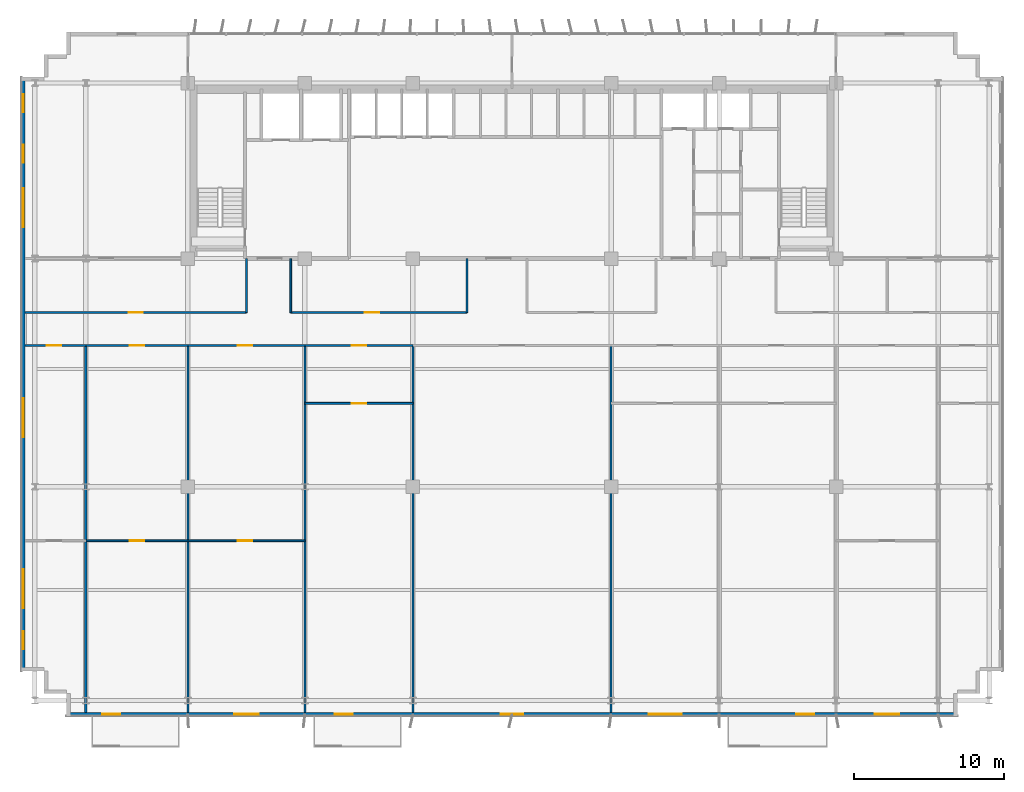
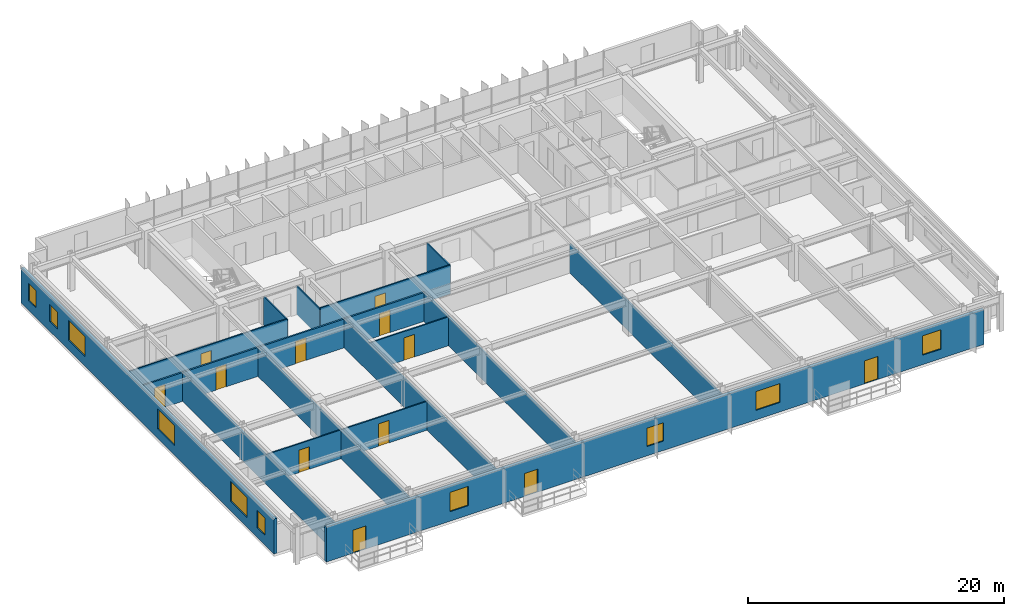
# One storey, part 15 of 21: 19 walls, 12 doors, 10 windows, 22 openings.
"""IFC4 building model written with IfcOpenShell, lengths in metres."""

from ifc_helpers import new_model, si_unit, direction, frame, frame_2d, origin, place, context, subcontext, project, spatial, rectangle, extrude, source, transform, mapped, material, layer, layer_set, type_object, element, fill, save


model = new_model("IFC4")

# Units and contexts
model_context = context("Model", 3, precision=1e-05, world=origin(), true_north=direction((0.0, 1.0)))
body_context = subcontext(model_context, "Body", "Model", "MODEL_VIEW")
ifc_project = project(units=[si_unit("LENGTHUNIT", "METRE"), si_unit("AREAUNIT", "SQUARE_METRE"), si_unit("VOLUMEUNIT", "CUBIC_METRE"), si_unit("PLANEANGLEUNIT", "RADIAN"), si_unit("MASSUNIT", "GRAM", prefix="KILO")], contexts=[model_context])

# Site, building, storey
site_placement = place(None, origin())
site = spatial("IfcSite", under=ifc_project, at=site_placement, CompositionType="ELEMENT")
building_placement = place(site_placement, origin())
building = spatial("IfcBuilding", under=site, at=building_placement, Name="Trelvane Seafront Commons", CompositionType="ELEMENT")
storey_placement = place(building_placement, frame((0.0, 0.0, 34.300048828125)))
storey = spatial("IfcBuildingStorey", under=building, at=storey_placement, Name="L08", CompositionType="ELEMENT", Elevation=34.300048828125)

# Wall, openings, windows
ifc_material_1 = material(Name="Precast concrete C40/50", Category="concrete")
ifc_layer_1 = layer(ifc_material_1, 0.260009765625, Name="ARCH-WALL-EXT260")
ifc_layer_set_1 = layer_set([ifc_layer_1], Name="Precast concrete C40/50")
wall_type_1 = type_object("IfcWallType", Name="ARCH-WALL-EXT260", PredefinedType="SOLIDWALL", material=ifc_layer_set_1)
wall_1_placement = place(storey_placement, frame((4.6298828125, 5.89990234375, 0.0), z_axis=(0.0, 0.0, 1.0), x_axis=(0.0, 1.0, 0.0)))
wall_1 = element("IfcWall", 1, at=wall_1_placement, inside=storey, type_object=wall_type_1, Name="EW-L08-00113", PredefinedType="SOLIDWALL", context=body_context, shape_type="SweptSolid", body=[
    extrude(rectangle(XDim=39.60009765625, YDim=0.260009765625, at=frame_2d((19.800048828125, 0.0))), origin(), (0.0, 0.0, 1.0), 3.33984375),
])
opening_1_placement = place(wall_1_placement, frame((1.449951171875, 0.0, 0.919921875)))
opening_1 = element("IfcOpeningElement", 2, at=opening_1_placement, cuts=wall_1, Name="Opening W05", PredefinedType="OPENING", context=body_context, shape_type="SweptSolid", body=[
    extrude(rectangle(XDim=1.199951171875, YDim=1.64990234375, at=frame_2d((0.60009765625, 0.824951171875))), frame((0.0, 0.139892578125, 0.0), z_axis=(0.0, -1.0, 0.0), x_axis=(1.0, 0.0, 0.0)), (0.0, 0.0, 1.0), 0.280029296875),
])
opening_2_placement = place(wall_1_placement, frame((4.199951171875, 0.0, 0.919921875)))
opening_2 = element("IfcOpeningElement", 3, at=opening_2_placement, cuts=wall_1, Name="Opening W04", PredefinedType="OPENING", context=body_context, shape_type="SweptSolid", body=[
    extrude(rectangle(XDim=2.60009765625, YDim=1.89990234375, at=frame_2d((1.300048828125, 0.949951171875))), frame((0.0, 0.139892578125, 0.0), z_axis=(0.0, -1.0, 0.0), x_axis=(1.0, 0.0, 0.0)), (0.0, 0.0, 1.0), 0.280029296875),
])
opening_3_placement = place(wall_1_placement, frame((15.60009765625, 0.0, 0.919921875)))
opening_3 = element("IfcOpeningElement", 4, at=opening_3_placement, cuts=wall_1, Name="Opening W04", PredefinedType="OPENING", context=body_context, shape_type="SweptSolid", body=[
    extrude(rectangle(XDim=2.60009765625, YDim=1.89990234375, at=frame_2d((1.300048828125, 0.949951171875))), frame((0.0, 0.139892578125, 0.0), z_axis=(0.0, -1.0, 0.0), x_axis=(1.0, 0.0, 0.0)), (0.0, 0.0, 1.0), 0.280029296875),
])
opening_4_placement = place(wall_1_placement, frame((29.60009765625, 0.0, 0.919921875)))
opening_4 = element("IfcOpeningElement", 5, at=opening_4_placement, cuts=wall_1, Name="Opening W04", PredefinedType="OPENING", context=body_context, shape_type="SweptSolid", body=[
    extrude(rectangle(XDim=2.60009765625, YDim=1.89990234375, at=frame_2d((1.300048828125, 0.949951171875))), frame((0.0, 0.139892578125, 0.0), z_axis=(0.0, -1.0, 0.0), x_axis=(1.0, 0.0, 0.0)), (0.0, 0.0, 1.0), 0.280029296875),
])
opening_5_placement = place(wall_1_placement, frame((33.89990234375, 0.0, 0.919921875)))
opening_5 = element("IfcOpeningElement", 6, at=opening_5_placement, cuts=wall_1, Name="Opening W05", PredefinedType="OPENING", context=body_context, shape_type="SweptSolid", body=[
    extrude(rectangle(XDim=1.199951171875, YDim=1.64990234375, at=frame_2d((0.60009765625, 0.824951171875))), frame((0.0, 0.139892578125, 0.0), z_axis=(0.0, -1.0, 0.0), x_axis=(1.0, 0.0, 0.0)), (0.0, 0.0, 1.0), 0.280029296875),
])
opening_6_placement = place(wall_1_placement, frame((37.25, 0.0, 0.919921875)))
opening_6 = element("IfcOpeningElement", 7, at=opening_6_placement, cuts=wall_1, Name="Opening W05", PredefinedType="OPENING", context=body_context, shape_type="SweptSolid", body=[
    extrude(rectangle(XDim=1.199951171875, YDim=1.64990234375, at=frame_2d((0.60009765625, 0.824951171875))), frame((0.0, 0.139892578125, 0.0), z_axis=(0.0, -1.0, 0.0), x_axis=(1.0, 0.0, 0.0)), (0.0, 0.0, 1.0), 0.280029296875),
])
ifc_material_2 = material(Name="Low-E coastal double glazing", Category="glass")
window_type_1 = type_object("IfcWindowType", Name="ARCH-WIN-W04", PartitioningType="SINGLE_PANEL", PredefinedType="WINDOW", material=ifc_material_2)
shared_shape_1 = source(origin(), body_context, "Body", "SweptSolid", [
    extrude(rectangle(XDim=2.60009765625, YDim=1.89990234375, at=frame_2d((1.300048828125, 0.949951171875))), frame((0.0, 0.030029296875, 0.0), z_axis=(0.0, -1.0, 0.0), x_axis=(1.0, 0.0, 0.0)), (0.0, 0.0, 1.0), 0.06005859375),
])
window_1_placement = place(opening_2_placement, origin())
window_1 = element("IfcWindow", 8, at=window_1_placement, inside=storey, type_object=window_type_1, Name="WIN-L08-EW-00159", OverallHeight=1.89990234375, OverallWidth=2.60009765625, PartitioningType="SINGLE_PANEL", PredefinedType="WINDOW", context=body_context, shape_type="MappedRepresentation", body=[
    mapped(shared_shape_1, transform((0.0, 0.0, 0.0), x_axis=(1.0, 0.0, 0.0), y_axis=(0.0, 1.0, 0.0), z_axis=(0.0, 0.0, 1.0), scale=1.0)),
])
fill(opening_2, window_1)
window_2_placement = place(opening_3_placement, origin())
window_2 = element("IfcWindow", 9, at=window_2_placement, inside=storey, type_object=window_type_1, Name="WIN-L08-EW-00160", OverallHeight=1.89990234375, OverallWidth=2.60009765625, PartitioningType="SINGLE_PANEL", PredefinedType="WINDOW", context=body_context, shape_type="MappedRepresentation", body=[
    mapped(shared_shape_1, transform((0.0, 0.0, 0.0), x_axis=(1.0, 0.0, 0.0), y_axis=(0.0, 1.0, 0.0), z_axis=(0.0, 0.0, 1.0), scale=1.0)),
])
fill(opening_3, window_2)
window_3_placement = place(opening_4_placement, origin())
window_3 = element("IfcWindow", 10, at=window_3_placement, inside=storey, type_object=window_type_1, Name="WIN-L08-EW-00161", OverallHeight=1.89990234375, OverallWidth=2.60009765625, PartitioningType="SINGLE_PANEL", PredefinedType="WINDOW", context=body_context, shape_type="MappedRepresentation", body=[
    mapped(shared_shape_1, transform((0.0, 0.0, 0.0), x_axis=(1.0, 0.0, 0.0), y_axis=(0.0, 1.0, 0.0), z_axis=(0.0, 0.0, 1.0), scale=1.0)),
])
fill(opening_4, window_3)
window_type_2 = type_object("IfcWindowType", Name="ARCH-WIN-W05", PartitioningType="SINGLE_PANEL", PredefinedType="WINDOW", material=ifc_material_2)
shared_shape_2 = source(origin(), body_context, "Body", "SweptSolid", [
    extrude(rectangle(XDim=1.199951171875, YDim=1.64990234375, at=frame_2d((0.60009765625, 0.824951171875))), frame((0.0, 0.030029296875, 0.0), z_axis=(0.0, -1.0, 0.0), x_axis=(1.0, 0.0, 0.0)), (0.0, 0.0, 1.0), 0.06005859375),
])
window_4_placement = place(opening_1_placement, origin())
window_4 = element("IfcWindow", 11, at=window_4_placement, inside=storey, type_object=window_type_2, Name="WIN-L08-EW-00158", OverallHeight=1.64990234375, OverallWidth=1.199951171875, PartitioningType="SINGLE_PANEL", PredefinedType="WINDOW", context=body_context, shape_type="MappedRepresentation", body=[
    mapped(shared_shape_2, transform((0.0, 0.0, 0.0), x_axis=(1.0, 0.0, 0.0), y_axis=(0.0, 1.0, 0.0), z_axis=(0.0, 0.0, 1.0), scale=1.0)),
])
fill(opening_1, window_4)
window_5_placement = place(opening_5_placement, origin())
window_5 = element("IfcWindow", 12, at=window_5_placement, inside=storey, type_object=window_type_2, Name="WIN-L08-EW-00162", OverallHeight=1.64990234375, OverallWidth=1.199951171875, PartitioningType="SINGLE_PANEL", PredefinedType="WINDOW", context=body_context, shape_type="MappedRepresentation", body=[
    mapped(shared_shape_2, transform((0.0, 0.0, 0.0), x_axis=(1.0, 0.0, 0.0), y_axis=(0.0, 1.0, 0.0), z_axis=(0.0, 0.0, 1.0), scale=1.0)),
])
fill(opening_5, window_5)
window_6_placement = place(opening_6_placement, origin())
window_6 = element("IfcWindow", 13, at=window_6_placement, inside=storey, type_object=window_type_2, Name="WIN-L08-EW-00163", OverallHeight=1.64990234375, OverallWidth=1.199951171875, PartitioningType="SINGLE_PANEL", PredefinedType="WINDOW", context=body_context, shape_type="MappedRepresentation", body=[
    mapped(shared_shape_2, transform((0.0, 0.0, 0.0), x_axis=(1.0, 0.0, 0.0), y_axis=(0.0, 1.0, 0.0), z_axis=(0.0, 0.0, 1.0), scale=1.0)),
])
fill(opening_6, window_6)

# Wall, openings, doors, windows
wall_2_placement = place(storey_placement, frame((66.89990234375, 3.030029296875, 0.0), z_axis=(0.0, 0.0, 1.0), x_axis=(-1.0, 0.0, 0.0)))
wall_2 = element("IfcWall", 14, at=wall_2_placement, inside=storey, type_object=wall_type_1, Name="EW-L08-00127", PredefinedType="SOLIDWALL", context=body_context, shape_type="SweptSolid", body=[
    extrude(rectangle(XDim=59.39990234375, YDim=0.260009765625, at=frame_2d((29.699951171875, 0.0))), origin(), (0.0, 0.0, 1.0), 3.33984375),
])
opening_7_placement = place(wall_2_placement, frame((3.875, 0.0, 0.89990234375)))
opening_7 = element("IfcOpeningElement", 15, at=opening_7_placement, cuts=wall_2, Name="Opening W07", PredefinedType="OPENING", context=body_context, shape_type="SweptSolid", body=[
    extrude(rectangle(XDim=1.64990234375, YDim=1.85009765625, at=frame_2d((0.824951171875, 0.925048828125))), frame((0.0, 0.139892578125, 0.0), z_axis=(0.0, -1.0, 0.0), x_axis=(1.0, 0.0, 0.0)), (0.0, 0.0, 1.0), 0.280029296875),
])
opening_8_placement = place(wall_2_placement, frame((9.56494140625, 0.0, 0.0)))
opening_8 = element("IfcOpeningElement", 16, at=opening_8_placement, cuts=wall_2, Name="Opening BD-L08-21", PredefinedType="OPENING", context=body_context, shape_type="SweptSolid", body=[
    extrude(rectangle(XDim=1.199951171875, YDim=2.199951171875, at=frame_2d((0.60009765625, 1.10009765625))), frame((0.0, 0.139892578125, 0.0), z_axis=(0.0, -1.0, 0.0), x_axis=(1.0, 0.0, 0.0)), (0.0, 0.0, 1.0), 0.280029296875),
])
opening_9_placement = place(wall_2_placement, frame((18.39990234375, 0.0, 0.89990234375)))
opening_9 = element("IfcOpeningElement", 17, at=opening_9_placement, cuts=wall_2, Name="Opening W02", PredefinedType="OPENING", context=body_context, shape_type="SweptSolid", body=[
    extrude(rectangle(XDim=2.199951171875, YDim=1.800048828125, at=frame_2d((1.10009765625, 0.89990234375))), frame((0.0, 0.139892578125, 0.0), z_axis=(0.0, -1.0, 0.0), x_axis=(1.0, 0.0, 0.0)), (0.0, 0.0, 1.0), 0.280029296875),
])
opening_10_placement = place(wall_2_placement, frame((28.949951171875, 0.0, 0.89990234375)))
opening_10 = element("IfcOpeningElement", 18, at=opening_10_placement, cuts=wall_2, Name="Opening W03", PredefinedType="OPENING", context=body_context, shape_type="SweptSolid", body=[
    extrude(rectangle(XDim=1.5, YDim=1.75, at=frame_2d((0.75, 0.875))), frame((0.0, 0.139892578125, 0.0), z_axis=(0.0, -1.0, 0.0), x_axis=(1.0, 0.0, 0.0)), (0.0, 0.0, 1.0), 0.280029296875),
])
opening_11_placement = place(wall_2_placement, frame((40.301025390625, 0.0, 0.0)))
opening_11 = element("IfcOpeningElement", 19, at=opening_11_placement, cuts=wall_2, Name="Opening BD-L08-22", PredefinedType="OPENING", context=body_context, shape_type="SweptSolid", body=[
    extrude(rectangle(XDim=1.199951171875, YDim=2.199951171875, at=frame_2d((0.60009765625, 1.10009765625))), frame((0.0, 0.139892578125, 0.0), z_axis=(0.0, -1.0, 0.0), x_axis=(1.0, 0.0, 0.0)), (0.0, 0.0, 1.0), 0.280029296875),
])
opening_12_placement = place(wall_2_placement, frame((46.574951171875, 0.0, 0.89990234375)))
opening_12 = element("IfcOpeningElement", 20, at=opening_12_placement, cuts=wall_2, Name="Opening W07", PredefinedType="OPENING", context=body_context, shape_type="SweptSolid", body=[
    extrude(rectangle(XDim=1.64990234375, YDim=1.85009765625, at=frame_2d((0.824951171875, 0.925048828125))), frame((0.0, 0.139892578125, 0.0), z_axis=(0.0, -1.0, 0.0), x_axis=(1.0, 0.0, 0.0)), (0.0, 0.0, 1.0), 0.280029296875),
])
opening_13_placement = place(wall_2_placement, frame((55.81689453125, 0.0, 0.0)))
opening_13 = element("IfcOpeningElement", 21, at=opening_13_placement, cuts=wall_2, Name="Opening BD-L08-23", PredefinedType="OPENING", context=body_context, shape_type="SweptSolid", body=[
    extrude(rectangle(XDim=1.199951171875, YDim=2.199951171875, at=frame_2d((0.60009765625, 1.10009765625))), frame((0.0, 0.139892578125, 0.0), z_axis=(0.0, -1.0, 0.0), x_axis=(1.0, 0.0, 0.0)), (0.0, 0.0, 1.0), 0.280029296875),
])
ifc_material_3 = material(Name="Powder-coated aluminium frame", Category="aluminium")
door_type_1 = type_object("IfcDoorType", Name="ARCH-DR-BAL1200", OperationType="NOTDEFINED", PredefinedType="DOOR", material=ifc_material_3)
shared_shape_3 = source(origin(), body_context, "Body", "SweptSolid", [
    extrude(rectangle(XDim=1.199951171875, YDim=2.199951171875, at=frame_2d((0.60009765625, 1.10009765625))), frame((0.0, 0.02490234375, 0.0), z_axis=(0.0, -1.0, 0.0), x_axis=(1.0, 0.0, 0.0)), (0.0, 0.0, 1.0), 0.050048828125),
])
door_1_placement = place(opening_8_placement, origin())
door_1 = element("IfcDoor", 22, at=door_1_placement, inside=storey, type_object=door_type_1, Name="L08 Balcony Terrace Access Door", OperationType="SINGLE_SWING_LEFT", OverallHeight=2.199951171875, OverallWidth=1.199951171875, PredefinedType="DOOR", context=body_context, shape_type="MappedRepresentation", body=[
    mapped(shared_shape_3, transform((0.0, 0.0, 0.0), x_axis=(1.0, 0.0, 0.0), y_axis=(0.0, 1.0, 0.0), z_axis=(0.0, 0.0, 1.0), scale=1.0)),
])
fill(opening_8, door_1)
door_2_placement = place(opening_11_placement, origin())
door_2 = element("IfcDoor", 23, at=door_2_placement, inside=storey, type_object=door_type_1, Name="L08 Balcony Terrace Access Door", OperationType="SINGLE_SWING_LEFT", OverallHeight=2.199951171875, OverallWidth=1.199951171875, PredefinedType="DOOR", context=body_context, shape_type="MappedRepresentation", body=[
    mapped(shared_shape_3, transform((0.0, 0.0, 0.0), x_axis=(1.0, 0.0, 0.0), y_axis=(0.0, 1.0, 0.0), z_axis=(0.0, 0.0, 1.0), scale=1.0)),
])
fill(opening_11, door_2)
door_3_placement = place(opening_13_placement, origin())
door_3 = element("IfcDoor", 24, at=door_3_placement, inside=storey, type_object=door_type_1, Name="L08 Balcony Terrace Access Door", OperationType="SINGLE_SWING_LEFT", OverallHeight=2.199951171875, OverallWidth=1.199951171875, PredefinedType="DOOR", context=body_context, shape_type="MappedRepresentation", body=[
    mapped(shared_shape_3, transform((0.0, 0.0, 0.0), x_axis=(1.0, 0.0, 0.0), y_axis=(0.0, 1.0, 0.0), z_axis=(0.0, 0.0, 1.0), scale=1.0)),
])
fill(opening_13, door_3)
window_type_3 = type_object("IfcWindowType", Name="ARCH-WIN-W02", PartitioningType="SINGLE_PANEL", PredefinedType="WINDOW", material=ifc_material_2)
shared_shape_4 = source(origin(), body_context, "Body", "SweptSolid", [
    extrude(rectangle(XDim=2.199951171875, YDim=1.800048828125, at=frame_2d((1.10009765625, 0.89990234375))), frame((0.0, 0.030029296875, 0.0), z_axis=(0.0, -1.0, 0.0), x_axis=(1.0, 0.0, 0.0)), (0.0, 0.0, 1.0), 0.06005859375),
])
window_7_placement = place(opening_9_placement, origin())
window_7 = element("IfcWindow", 25, at=window_7_placement, inside=storey, type_object=window_type_3, Name="WIN-L08-00171", OverallHeight=1.800048828125, OverallWidth=2.199951171875, PartitioningType="SINGLE_PANEL", PredefinedType="WINDOW", context=body_context, shape_type="MappedRepresentation", body=[
    mapped(shared_shape_4, transform((0.0, 0.0, 0.0), x_axis=(1.0, 0.0, 0.0), y_axis=(0.0, 1.0, 0.0), z_axis=(0.0, 0.0, 1.0), scale=1.0)),
])
fill(opening_9, window_7)
window_type_4 = type_object("IfcWindowType", Name="ARCH-WIN-W03", PartitioningType="SINGLE_PANEL", PredefinedType="WINDOW", material=ifc_material_2)
shared_shape_5 = source(origin(), body_context, "Body", "SweptSolid", [
    extrude(rectangle(XDim=1.5, YDim=1.75, at=frame_2d((0.75, 0.875))), frame((0.0, 0.030029296875, 0.0), z_axis=(0.0, -1.0, 0.0), x_axis=(1.0, 0.0, 0.0)), (0.0, 0.0, 1.0), 0.06005859375),
])
window_8_placement = place(opening_10_placement, origin())
window_8 = element("IfcWindow", 26, at=window_8_placement, inside=storey, type_object=window_type_4, Name="WIN-L08-00172", OverallHeight=1.75, OverallWidth=1.5, PartitioningType="SINGLE_PANEL", PredefinedType="WINDOW", context=body_context, shape_type="MappedRepresentation", body=[
    mapped(shared_shape_5, transform((0.0, 0.0, 0.0), x_axis=(1.0, 0.0, 0.0), y_axis=(0.0, 1.0, 0.0), z_axis=(0.0, 0.0, 1.0), scale=1.0)),
])
fill(opening_10, window_8)
window_type_5 = type_object("IfcWindowType", Name="ARCH-WIN-W07", PartitioningType="SINGLE_PANEL", PredefinedType="WINDOW", material=ifc_material_2)
shared_shape_6 = source(origin(), body_context, "Body", "SweptSolid", [
    extrude(rectangle(XDim=1.64990234375, YDim=1.85009765625, at=frame_2d((0.824951171875, 0.925048828125))), frame((0.0, 0.030029296875, 0.0), z_axis=(0.0, -1.0, 0.0), x_axis=(1.0, 0.0, 0.0)), (0.0, 0.0, 1.0), 0.06005859375),
])
window_9_placement = place(opening_7_placement, origin())
window_9 = element("IfcWindow", 27, at=window_9_placement, inside=storey, type_object=window_type_5, Name="WIN-L08-00170", OverallHeight=1.85009765625, OverallWidth=1.64990234375, PartitioningType="SINGLE_PANEL", PredefinedType="WINDOW", context=body_context, shape_type="MappedRepresentation", body=[
    mapped(shared_shape_6, transform((0.0, 0.0, 0.0), x_axis=(1.0, 0.0, 0.0), y_axis=(0.0, 1.0, 0.0), z_axis=(0.0, 0.0, 1.0), scale=1.0)),
])
fill(opening_7, window_9)
window_10_placement = place(opening_12_placement, origin())
window_10 = element("IfcWindow", 28, at=window_10_placement, inside=storey, type_object=window_type_5, Name="WIN-L08-00173", OverallHeight=1.85009765625, OverallWidth=1.64990234375, PartitioningType="SINGLE_PANEL", PredefinedType="WINDOW", context=body_context, shape_type="MappedRepresentation", body=[
    mapped(shared_shape_6, transform((0.0, 0.0, 0.0), x_axis=(1.0, 0.0, 0.0), y_axis=(0.0, 1.0, 0.0), z_axis=(0.0, 0.0, 1.0), scale=1.0)),
])
fill(opening_12, window_10)

# Wall, opening, door
ifc_material_4 = material(Name="Gypsum Drywall Acoustic Partition")
ifc_layer_2 = layer(ifc_material_4, 0.1201171875, Name="ARCH-WALL-PART120")
ifc_layer_set_2 = layer_set([ifc_layer_2], Name="Gypsum Drywall Acoustic Partition")
wall_type_2 = type_object("IfcWallType", Name="ARCH-WALL-PART120", PredefinedType="PARTITIONING", material=ifc_layer_set_2)
wall_3_placement = place(storey_placement, frame((4.75, 29.800048828125, 0.0), z_axis=(0.0, 0.0, 1.0), x_axis=(1.0, 0.0, 0.0)))
wall_3 = element("IfcWall", 29, at=wall_3_placement, inside=storey, type_object=wall_type_2, Name="W-L08-CORR-N-W-039", PredefinedType="PARTITIONING", context=body_context, shape_type="SweptSolid", body=[
    extrude(rectangle(XDim=14.75, YDim=0.1201171875, at=frame_2d((7.375, 0.0))), origin(), (0.0, 0.0, 1.0), 2.751953125),
])
opening_14_placement = place(wall_3_placement, frame((6.89990234375, 0.0, 0.0)))
opening_14 = element("IfcOpeningElement", 30, at=opening_14_placement, cuts=wall_3, Name="Opening D-L08-19", PredefinedType="OPENING", context=body_context, shape_type="SweptSolid", body=[
    extrude(rectangle(XDim=0.949951171875, YDim=2.14990234375, at=frame_2d((0.47509765625, 1.074951171875))), frame((0.0, 0.070068359375, 0.0), z_axis=(0.0, -1.0, 0.0), x_axis=(1.0, 0.0, 0.0)), (0.0, 0.0, 1.0), 0.14013671875),
])
ifc_material_5 = material(Name="Acoustic timber door leaf", Category="wood")
door_type_2 = type_object("IfcDoorType", Name="ARCH-DR-INT950", OperationType="NOTDEFINED", PredefinedType="DOOR", material=ifc_material_5)
shared_shape_7 = source(origin(), body_context, "Body", "SweptSolid", [
    extrude(rectangle(XDim=0.949951171875, YDim=2.14990234375, at=frame_2d((0.47509765625, 1.074951171875))), frame((0.0, 0.02490234375, 0.0), z_axis=(0.0, -1.0, 0.0), x_axis=(1.0, 0.0, 0.0)), (0.0, 0.0, 1.0), 0.050048828125),
])
door_4_placement = place(opening_14_placement, origin())
door_4 = element("IfcDoor", 31, at=door_4_placement, inside=storey, type_object=door_type_2, Name="L08 Door 19", OperationType="SINGLE_SWING_LEFT", OverallHeight=2.14990234375, OverallWidth=0.949951171875, PredefinedType="DOOR", context=body_context, shape_type="MappedRepresentation", body=[
    mapped(shared_shape_7, transform((0.0, 0.0, 0.0), x_axis=(1.0, 0.0, 0.0), y_axis=(0.0, 1.0, 0.0), z_axis=(0.0, 0.0, 1.0), scale=1.0)),
])
fill(opening_14, door_4)

wall_4_placement = place(storey_placement, frame((22.449951171875, 29.800048828125, 0.0), z_axis=(0.0, 0.0, 1.0), x_axis=(1.0, 0.0, 0.0)))
wall_4 = element("IfcWall", 32, at=wall_4_placement, inside=storey, type_object=wall_type_2, Name="W-L08-CORR-N-M1-040", PredefinedType="PARTITIONING", context=body_context, shape_type="SweptSolid", body=[
    extrude(rectangle(XDim=11.75, YDim=0.1201171875, at=frame_2d((5.875, 0.0))), origin(), (0.0, 0.0, 1.0), 2.751953125),
])
opening_15_placement = place(wall_4_placement, frame((4.944091796875, 0.0, 0.0)))
opening_15 = element("IfcOpeningElement", 33, at=opening_15_placement, cuts=wall_4, Name="Opening D-L08-20", PredefinedType="OPENING", context=body_context, shape_type="SweptSolid", body=[
    extrude(rectangle(XDim=0.949951171875, YDim=2.14990234375, at=frame_2d((0.47509765625, 1.074951171875))), frame((0.0, 0.070068359375, 0.0), z_axis=(0.0, -1.0, 0.0), x_axis=(1.0, 0.0, 0.0)), (0.0, 0.0, 1.0), 0.14013671875),
])
door_5_placement = place(opening_15_placement, origin())
door_5 = element("IfcDoor", 34, at=door_5_placement, inside=storey, type_object=door_type_2, Name="L08 Door 20", OperationType="SINGLE_SWING_RIGHT", OverallHeight=2.14990234375, OverallWidth=0.949951171875, PredefinedType="DOOR", context=body_context, shape_type="MappedRepresentation", body=[
    mapped(shared_shape_7, transform((0.0, 0.0, 0.0), x_axis=(1.0, 0.0, 0.0), y_axis=(0.0, 1.0, 0.0), z_axis=(0.0, 0.0, 1.0), scale=1.0)),
])
fill(opening_15, door_5)

# Walls
for number, where, z_axis, x_axis, name in (
    (35, (19.5, 29.800048828125, 0.0), (0.0, 0.0, 1.0), (0.0, 1.0, 0.0), "W-L08-N-SPUR-W1-044"),
    (36, (22.449951171875, 29.800048828125, 0.0), (0.0, 0.0, 1.0), (0.0, 1.0, 0.0), "W-L08-N-SPUR-W2-045"),
    (37, (34.199951171875, 29.800048828125, 0.0), (0.0, 0.0, 1.0), (0.0, 1.0, 0.0), "W-L08-N-SPUR-M1-046"),
):
    element("IfcWall", number, at=place(storey_placement, frame(where, z_axis=z_axis, x_axis=x_axis)), inside=storey, type_object=wall_type_2, Name=name, PredefinedType="PARTITIONING", context=body_context, shape_type="SweptSolid", body=[
        extrude(rectangle(XDim=3.599853515625, YDim=0.1201171875, at=frame_2d((1.7998046875, 0.0))), origin(), (0.0, 0.0, 1.0), 2.68994140625),
    ])

# Wall, opening, door
wall_5_placement = place(storey_placement, frame((8.800048828125, 14.60009765625, 0.0), z_axis=(0.0, 0.0, 1.0), x_axis=(1.0, 0.0, 0.0)))
wall_5 = element("IfcWall", 38, at=wall_5_placement, inside=storey, type_object=wall_type_2, Name="W-L08-U2-DIV-066", PredefinedType="PARTITIONING", context=body_context, shape_type="SweptSolid", body=[
    extrude(rectangle(XDim=6.800048828125, YDim=0.1201171875, at=frame_2d((3.39990234375, 0.0))), origin(), (0.0, 0.0, 1.0), 2.751953125),
])
opening_16_placement = place(wall_5_placement, frame((2.925048828125, 0.0, 0.0)))
opening_16 = element("IfcOpeningElement", 39, at=opening_16_placement, cuts=wall_5, Name="Opening D-L08-32", PredefinedType="OPENING", context=body_context, shape_type="SweptSolid", body=[
    extrude(rectangle(XDim=0.949951171875, YDim=2.14990234375, at=frame_2d((0.47509765625, 1.074951171875))), frame((0.0, 0.070068359375, 0.0), z_axis=(0.0, -1.0, 0.0), x_axis=(1.0, 0.0, 0.0)), (0.0, 0.0, 1.0), 0.14013671875),
])
door_6_placement = place(opening_16_placement, origin())
door_6 = element("IfcDoor", 40, at=door_6_placement, inside=storey, type_object=door_type_2, Name="L08 Door 32", OperationType="SINGLE_SWING_RIGHT", OverallHeight=2.14990234375, OverallWidth=0.949951171875, PredefinedType="DOOR", context=body_context, shape_type="MappedRepresentation", body=[
    mapped(shared_shape_7, transform((0.0, 0.0, 0.0), x_axis=(1.0, 0.0, 0.0), y_axis=(0.0, 1.0, 0.0), z_axis=(0.0, 0.0, 1.0), scale=1.0)),
])
fill(opening_16, door_6)

wall_6_placement = place(storey_placement, frame((15.60009765625, 14.60009765625, 0.0), z_axis=(0.0, 0.0, 1.0), x_axis=(1.0, 0.0, 0.0)))
wall_6 = element("IfcWall", 41, at=wall_6_placement, inside=storey, type_object=wall_type_2, Name="W-L08-U3-DIV-068", PredefinedType="PARTITIONING", context=body_context, shape_type="SweptSolid", body=[
    extrude(rectangle(XDim=7.7998046875, YDim=0.1201171875, at=frame_2d((3.89990234375, 0.0))), origin(), (0.0, 0.0, 1.0), 2.751953125),
])
opening_17_placement = place(wall_6_placement, frame((3.3330078125, 0.0, 0.0)))
opening_17 = element("IfcOpeningElement", 42, at=opening_17_placement, cuts=wall_6, Name="Opening D-L08-34", PredefinedType="OPENING", context=body_context, shape_type="SweptSolid", body=[
    extrude(rectangle(XDim=0.949951171875, YDim=2.14990234375, at=frame_2d((0.47509765625, 1.074951171875))), frame((0.0, 0.070068359375, 0.0), z_axis=(0.0, -1.0, 0.0), x_axis=(1.0, 0.0, 0.0)), (0.0, 0.0, 1.0), 0.14013671875),
])
door_7_placement = place(opening_17_placement, origin())
door_7 = element("IfcDoor", 43, at=door_7_placement, inside=storey, type_object=door_type_2, Name="L08 Door 34", OperationType="SINGLE_SWING_RIGHT", OverallHeight=2.14990234375, OverallWidth=0.949951171875, PredefinedType="DOOR", context=body_context, shape_type="MappedRepresentation", body=[
    mapped(shared_shape_7, transform((0.0, 0.0, 0.0), x_axis=(1.0, 0.0, 0.0), y_axis=(0.0, 1.0, 0.0), z_axis=(0.0, 0.0, 1.0), scale=1.0)),
])
fill(opening_17, door_7)

wall_7_placement = place(storey_placement, frame((23.39990234375, 23.75, 0.0), z_axis=(0.0, 0.0, 1.0), x_axis=(1.0, 0.0, 0.0)))
wall_7 = element("IfcWall", 44, at=wall_7_placement, inside=storey, type_object=wall_type_2, Name="W-L08-U4-DIV-070", PredefinedType="PARTITIONING", context=body_context, shape_type="SweptSolid", body=[
    extrude(rectangle(XDim=7.2001953125, YDim=0.1201171875, at=frame_2d((3.60009765625, 0.0))), origin(), (0.0, 0.0, 1.0), 2.751953125),
])
opening_18_placement = place(wall_7_placement, frame((3.125, 0.0, 0.0)))
opening_18 = element("IfcOpeningElement", 45, at=opening_18_placement, cuts=wall_7, Name="Opening D-L08-36", PredefinedType="OPENING", context=body_context, shape_type="SweptSolid", body=[
    extrude(rectangle(XDim=0.949951171875, YDim=2.14990234375, at=frame_2d((0.47509765625, 1.074951171875))), frame((0.0, 0.070068359375, 0.0), z_axis=(0.0, -1.0, 0.0), x_axis=(1.0, 0.0, 0.0)), (0.0, 0.0, 1.0), 0.14013671875),
])
door_8_placement = place(opening_18_placement, origin())
door_8 = element("IfcDoor", 46, at=door_8_placement, inside=storey, type_object=door_type_2, Name="L08 Door 36", OperationType="SINGLE_SWING_RIGHT", OverallHeight=2.14990234375, OverallWidth=0.949951171875, PredefinedType="DOOR", context=body_context, shape_type="MappedRepresentation", body=[
    mapped(shared_shape_7, transform((0.0, 0.0, 0.0), x_axis=(1.0, 0.0, 0.0), y_axis=(0.0, 1.0, 0.0), z_axis=(0.0, 0.0, 1.0), scale=1.0)),
])
fill(opening_18, door_8)

# Walls
ifc_layer_3 = layer(ifc_material_4, 0.14990234375, Name="ARCH-WALL-PART150")
ifc_layer_set_3 = layer_set([ifc_layer_3], Name="Gypsum Drywall Acoustic Partition")
wall_type_3 = type_object("IfcWallType", Name="ARCH-WALL-PART150", PredefinedType="PARTITIONING", material=ifc_layer_set_3)
for number, where, z_axis, x_axis, name in (
    (47, (8.800048828125, 3.14501953125, 0.0), (0.0, 0.0, 1.0), (0.0, 1.0, 0.0), "W-L08-PW-1-055"),
    (48, (15.60009765625, 3.14501953125, 0.0), (0.0, 0.0, 1.0), (0.0, 1.0, 0.0), "W-L08-PW-2-056"),
    (49, (23.39990234375, 3.14501953125, 0.0), (0.0, 0.0, 1.0), (0.0, 1.0, 0.0), "W-L08-PW-3-057"),
    (50, (30.60009765625, 3.14501953125, 0.0), (0.0, 0.0, 1.0), (0.0, 1.0, 0.0), "W-L08-PW-4-058"),
    (51, (43.800048828125, 3.14501953125, 0.0), (0.0, 0.0, 1.0), (0.0, 1.0, 0.0), "W-L08-PW-5-059"),
):
    element("IfcWall", number, at=place(storey_placement, frame(where, z_axis=z_axis, x_axis=x_axis)), inside=storey, type_object=wall_type_3, Name=name, PredefinedType="PARTITIONING", context=body_context, shape_type="SweptSolid", body=[
        extrude(rectangle(XDim=24.455078125, YDim=0.14990234375, at=frame_2d((12.2275390625, 0.0))), origin(), (0.0, 0.0, 1.0), 2.751953125),
    ])

# Wall, opening, door
wall_8_placement = place(storey_placement, frame((4.7451171875, 27.60009765625, 0.0), z_axis=(0.0, 0.0, 1.0), x_axis=(1.0, 0.0, 0.0)))
wall_8 = element("IfcWall", 52, at=wall_8_placement, inside=storey, type_object=wall_type_3, Name="W-L08-CS-BAY-1-063", PredefinedType="PARTITIONING", context=body_context, shape_type="SweptSolid", body=[
    extrude(rectangle(XDim=4.054931640625, YDim=0.14990234375, at=frame_2d((2.02734375, 0.0))), origin(), (0.0, 0.0, 1.0), 2.751953125),
])
opening_19_placement = place(wall_8_placement, frame((1.4619140625, 0.0, 0.0)))
opening_19 = element("IfcOpeningElement", 53, at=opening_19_placement, cuts=wall_8, Name="Opening FD-L08-29", PredefinedType="OPENING", context=body_context, shape_type="SweptSolid", body=[
    extrude(rectangle(XDim=0.949951171875, YDim=2.14990234375, at=frame_2d((0.47509765625, 1.074951171875))), frame((0.0, 0.0849609375, 0.0), z_axis=(0.0, -1.0, 0.0), x_axis=(1.0, 0.0, 0.0)), (0.0, 0.0, 1.0), 0.169921875),
])
door_type_3 = type_object("IfcDoorType", Name="ARCH-DR-FD60-950", OperationType="NOTDEFINED", PredefinedType="DOOR", material=ifc_material_3)
door_9_placement = place(opening_19_placement, origin())
door_9 = element("IfcDoor", 54, at=door_9_placement, inside=storey, type_object=door_type_3, Name="L08 Bay 01 Entrance Door", OperationType="SINGLE_SWING_LEFT", OverallHeight=2.14990234375, OverallWidth=0.949951171875, PredefinedType="DOOR", context=body_context, shape_type="MappedRepresentation", body=[
    mapped(shared_shape_7, transform((0.0, 0.0, 0.0), x_axis=(1.0, 0.0, 0.0), y_axis=(0.0, 1.0, 0.0), z_axis=(0.0, 0.0, 1.0), scale=1.0)),
])
fill(opening_19, door_9)

wall_9_placement = place(storey_placement, frame((8.800048828125, 27.60009765625, 0.0), z_axis=(0.0, 0.0, 1.0), x_axis=(1.0, 0.0, 0.0)))
wall_9 = element("IfcWall", 55, at=wall_9_placement, inside=storey, type_object=wall_type_3, Name="W-L08-CS-BAY-2-065", PredefinedType="PARTITIONING", context=body_context, shape_type="SweptSolid", body=[
    extrude(rectangle(XDim=6.800048828125, YDim=0.14990234375, at=frame_2d((3.39990234375, 0.0))), origin(), (0.0, 0.0, 1.0), 2.751953125),
])
opening_20_placement = place(wall_9_placement, frame((2.925048828125, 0.0, 0.0)))
opening_20 = element("IfcOpeningElement", 56, at=opening_20_placement, cuts=wall_9, Name="Opening FD-L08-31", PredefinedType="OPENING", context=body_context, shape_type="SweptSolid", body=[
    extrude(rectangle(XDim=0.949951171875, YDim=2.14990234375, at=frame_2d((0.47509765625, 1.074951171875))), frame((0.0, 0.0849609375, 0.0), z_axis=(0.0, -1.0, 0.0), x_axis=(1.0, 0.0, 0.0)), (0.0, 0.0, 1.0), 0.169921875),
])
door_10_placement = place(opening_20_placement, origin())
door_10 = element("IfcDoor", 57, at=door_10_placement, inside=storey, type_object=door_type_3, Name="L08 Bay 02 Entrance Door", OperationType="SINGLE_SWING_LEFT", OverallHeight=2.14990234375, OverallWidth=0.949951171875, PredefinedType="DOOR", context=body_context, shape_type="MappedRepresentation", body=[
    mapped(shared_shape_7, transform((0.0, 0.0, 0.0), x_axis=(1.0, 0.0, 0.0), y_axis=(0.0, 1.0, 0.0), z_axis=(0.0, 0.0, 1.0), scale=1.0)),
])
fill(opening_20, door_10)

wall_10_placement = place(storey_placement, frame((15.60009765625, 27.60009765625, 0.0), z_axis=(0.0, 0.0, 1.0), x_axis=(1.0, 0.0, 0.0)))
wall_10 = element("IfcWall", 58, at=wall_10_placement, inside=storey, type_object=wall_type_3, Name="W-L08-CS-BAY-3-067", PredefinedType="PARTITIONING", context=body_context, shape_type="SweptSolid", body=[
    extrude(rectangle(XDim=7.7998046875, YDim=0.14990234375, at=frame_2d((3.89990234375, 0.0))), origin(), (0.0, 0.0, 1.0), 2.751953125),
])
opening_21_placement = place(wall_10_placement, frame((3.3330078125, 0.0, 0.0)))
opening_21 = element("IfcOpeningElement", 59, at=opening_21_placement, cuts=wall_10, Name="Opening FD-L08-33", PredefinedType="OPENING", context=body_context, shape_type="SweptSolid", body=[
    extrude(rectangle(XDim=0.949951171875, YDim=2.14990234375, at=frame_2d((0.47509765625, 1.074951171875))), frame((0.0, 0.0849609375, 0.0), z_axis=(0.0, -1.0, 0.0), x_axis=(1.0, 0.0, 0.0)), (0.0, 0.0, 1.0), 0.169921875),
])
door_11_placement = place(opening_21_placement, origin())
door_11 = element("IfcDoor", 60, at=door_11_placement, inside=storey, type_object=door_type_3, Name="L08 Bay 03 Entrance Door", OperationType="SINGLE_SWING_LEFT", OverallHeight=2.14990234375, OverallWidth=0.949951171875, PredefinedType="DOOR", context=body_context, shape_type="MappedRepresentation", body=[
    mapped(shared_shape_7, transform((0.0, 0.0, 0.0), x_axis=(1.0, 0.0, 0.0), y_axis=(0.0, 1.0, 0.0), z_axis=(0.0, 0.0, 1.0), scale=1.0)),
])
fill(opening_21, door_11)

wall_11_placement = place(storey_placement, frame((23.39990234375, 27.60009765625, 0.0), z_axis=(0.0, 0.0, 1.0), x_axis=(1.0, 0.0, 0.0)))
wall_11 = element("IfcWall", 61, at=wall_11_placement, inside=storey, type_object=wall_type_3, Name="W-L08-CS-BAY-4-069", PredefinedType="PARTITIONING", context=body_context, shape_type="SweptSolid", body=[
    extrude(rectangle(XDim=7.2001953125, YDim=0.14990234375, at=frame_2d((3.60009765625, 0.0))), origin(), (0.0, 0.0, 1.0), 2.751953125),
])
opening_22_placement = place(wall_11_placement, frame((3.125, 0.0, 0.0)))
opening_22 = element("IfcOpeningElement", 62, at=opening_22_placement, cuts=wall_11, Name="Opening FD-L08-35", PredefinedType="OPENING", context=body_context, shape_type="SweptSolid", body=[
    extrude(rectangle(XDim=0.949951171875, YDim=2.14990234375, at=frame_2d((0.47509765625, 1.074951171875))), frame((0.0, 0.0849609375, 0.0), z_axis=(0.0, -1.0, 0.0), x_axis=(1.0, 0.0, 0.0)), (0.0, 0.0, 1.0), 0.169921875),
])
door_12_placement = place(opening_22_placement, origin())
door_12 = element("IfcDoor", 63, at=door_12_placement, inside=storey, type_object=door_type_3, Name="L08 Bay 04 Entrance Door", OperationType="SINGLE_SWING_LEFT", OverallHeight=2.14990234375, OverallWidth=0.949951171875, PredefinedType="DOOR", context=body_context, shape_type="MappedRepresentation", body=[
    mapped(shared_shape_7, transform((0.0, 0.0, 0.0), x_axis=(1.0, 0.0, 0.0), y_axis=(0.0, 1.0, 0.0), z_axis=(0.0, 0.0, 1.0), scale=1.0)),
])
fill(opening_22, door_12)

save(model, "model.ifc")
